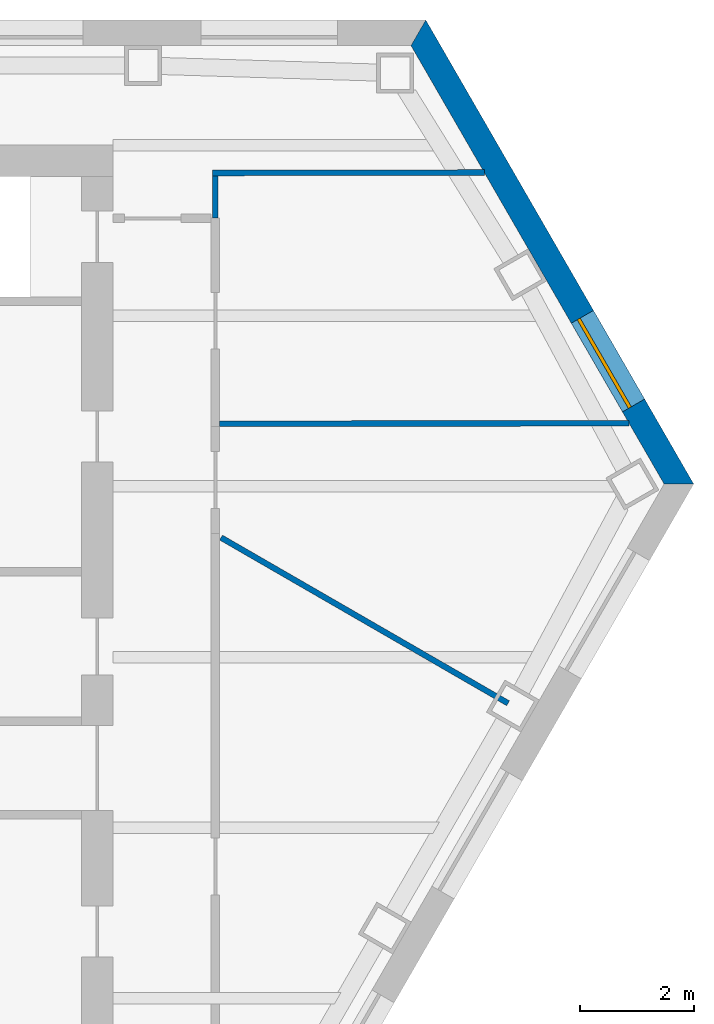
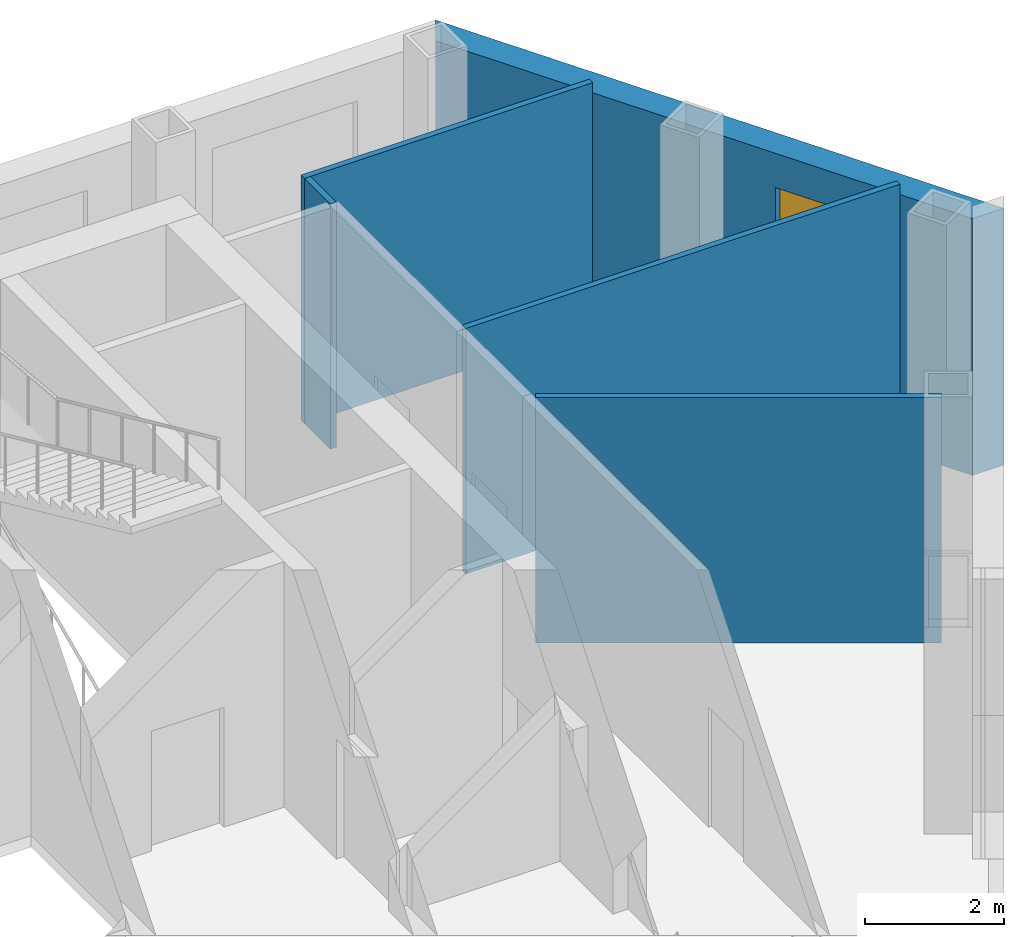
# One storey, part 8 of 11: 5 walls, 1 window, 1 opening.
"""IFC4 building model written with IfcOpenShell, lengths in metres."""

from ifc_helpers import new_model, si_unit, direction, frame, frame_2d, origin, place, context, subcontext, project, spatial, polyline, rectangle, outline, extrude, material, layer, layer_set, type_object, element, fill, save


model = new_model("IFC4")

# Units and contexts
model_context = context("Model", 3, precision=1e-05, world=origin(), true_north=direction((0.0, 1.0)))
body_context = subcontext(model_context, "Body", "Model", "MODEL_VIEW")
ifc_project = project(units=[si_unit("LENGTHUNIT", "METRE"), si_unit("AREAUNIT", "SQUARE_METRE"), si_unit("VOLUMEUNIT", "CUBIC_METRE"), si_unit("PLANEANGLEUNIT", "RADIAN"), si_unit("MASSUNIT", "GRAM", prefix="KILO")], contexts=[model_context])

# Site, building, storey
site_placement = place(None, origin())
site = spatial("IfcSite", under=ifc_project, at=site_placement, CompositionType="ELEMENT")
building_placement = place(site_placement, origin())
building = spatial("IfcBuilding", under=site, at=building_placement, Name="Njiva Tower", CompositionType="ELEMENT")
storey_placement = place(building_placement, frame((0.0, 0.0, 129.3)))
storey = spatial("IfcBuildingStorey", under=building, at=storey_placement, Name="L27", CompositionType="ELEMENT", Elevation=129.3)

# Walls
ifc_material_1 = material(Name="Gypsum board on steel studs", Category="gypsum")
ifc_layer_1 = layer(ifc_material_1, 0.1)
ifc_layer_set_1 = layer_set([ifc_layer_1], Name="Gypsum board on steel studs")
wall_type_1 = type_object("IfcWallType", Name="WT20 Gypsum partition 100", PredefinedType="PARTITIONING", material=ifc_layer_set_1)
wall_1_placement = place(storey_placement, frame((19.25, 17.511, 0.0), z_axis=(0.0, 0.0, 1.0), x_axis=(0.999998926819, 0.001465046565, 0.0)))
element("IfcWall", 1, at=wall_1_placement, inside=storey, type_object=wall_type_1, Name="Partition S09-P020", PredefinedType="PARTITIONING", context=body_context, shape_type="SweptSolid", body=[
    extrude(rectangle(XDim=4.778, YDim=0.1, at=frame_2d((2.389, 0.0))), origin(), (0.0, 0.0, 1.0), 4.3),
])
wall_2_placement = place(storey_placement, frame((19.3, 16.723, 0.0), z_axis=(0.0, 0.0, 1.0), x_axis=(0.0, 1.0, 0.0)))
element("IfcWall", 2, at=wall_2_placement, inside=storey, type_object=wall_type_1, Name="Partition S09-P023", PredefinedType="PARTITIONING", context=body_context, shape_type="SweptSolid", body=[
    extrude(rectangle(XDim=0.738, YDim=0.1, at=frame_2d((0.369, 0.0))), origin(), (0.0, 0.0, 1.0), 4.3),
])
wall_3_placement = place(storey_placement, frame((19.375, 13.102, 0.0), z_axis=(0.0, 0.0, 1.0), x_axis=(0.999999382374, 0.001111419152, 0.0)))
element("IfcWall", 3, at=wall_3_placement, inside=storey, type_object=wall_type_1, Name="Partition S09-P025", PredefinedType="PARTITIONING", context=body_context, shape_type="SweptSolid", body=[
    extrude(rectangle(XDim=7.198, YDim=0.1, at=frame_2d((3.599, 0.0))), origin(), (0.0, 0.0, 1.0), 4.3),
])
wall_4_placement = place(storey_placement, frame((19.4, 11.101, 0.0), z_axis=(0.0, 0.0, 1.0), x_axis=(0.866048401274, -0.499960165064, 0.0)))
element("IfcWall", 4, at=wall_4_placement, inside=storey, type_object=wall_type_1, Name="Partition S09-P026", PredefinedType="PARTITIONING", context=body_context, shape_type="SweptSolid", body=[
    extrude(rectangle(XDim=5.8265, YDim=0.1, at=frame_2d((2.9132, 0.0))), origin(), (0.0, 0.0, 1.0), 4.3),
])

# Wall, opening, window
ifc_material_2 = material(Name="Brick masonry, buff", Category="masonry")
ifc_layer_2 = layer(ifc_material_2, 0.45)
ifc_layer_set_2 = layer_set([ifc_layer_2], Name="Brick masonry, buff")
wall_type_2 = type_object("IfcWallType", Name="WT94 Brick pier and spandrel wall 450, buff", PredefinedType="SOLIDWALL", material=ifc_layer_set_2)
wall_5_placement = place(storey_placement, frame((27.4502, 12.042, -0.4), z_axis=(0.0, 0.0, 1.0), x_axis=(-0.499998388237, 0.866026334334, 0.0)))
wall_5 = element("IfcWall", 5, at=wall_5_placement, inside=storey, type_object=wall_type_2, Name="Facade wall NE", PredefinedType="SOLIDWALL", context=body_context, shape_type="SweptSolid", body=[
    extrude(outline(polyline([(-0.1299, -0.225), (9.2901, -0.225), (9.0303, 0.225), (0.1299, 0.225), (-0.1299, -0.225)])), origin(), (0.0, 0.0, 1.0), 4.5),
])
opening_placement = place(wall_5_placement, frame((1.5944, 0.0, 1.3)))
opening = element("IfcOpeningElement", 6, at=opening_placement, cuts=wall_5, Name="Opening S09-W32", PredefinedType="OPENING", context=body_context, shape_type="SweptSolid", body=[
    extrude(rectangle(XDim=1.8, YDim=2.6, at=frame_2d((0.9, 1.3))), frame((0.0, 0.235, 0.0), z_axis=(0.0, -1.0, 0.0), x_axis=(1.0, 0.0, 0.0)), (0.0, 0.0, 1.0), 0.47),
])
ifc_material_3 = material(Name="Clear glazing in aluminium frame", Category="aluminium")
window_type = type_object("IfcWindowType", Name="W96 Deep-set window 1800x2600", PartitioningType="SINGLE_PANEL", PredefinedType="WINDOW", material=ifc_material_3)
window_placement = place(opening_placement, origin())
window = element("IfcWindow", 7, at=window_placement, inside=storey, type_object=window_type, Name="Window", OverallHeight=2.6, OverallWidth=1.8, PartitioningType="SINGLE_PANEL", PredefinedType="WINDOW", context=body_context, shape_type="SweptSolid", body=[
    extrude(rectangle(XDim=1.8, YDim=2.6, at=frame_2d((0.9, 1.3))), frame((0.0, 0.105, 0.0), z_axis=(0.0, -1.0, 0.0), x_axis=(1.0, 0.0, 0.0)), (0.0, 0.0, 1.0), 0.06),
])
fill(opening, window)

save(model, "model.ifc")
